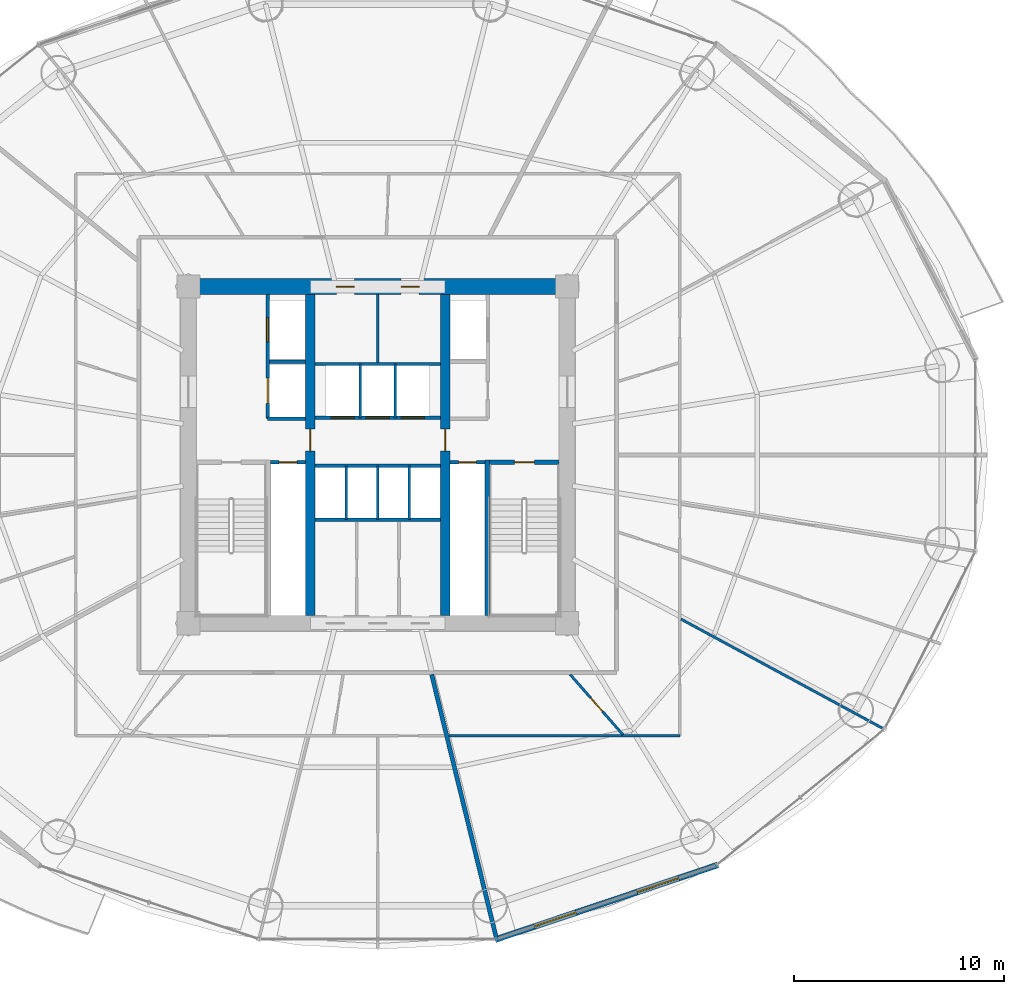
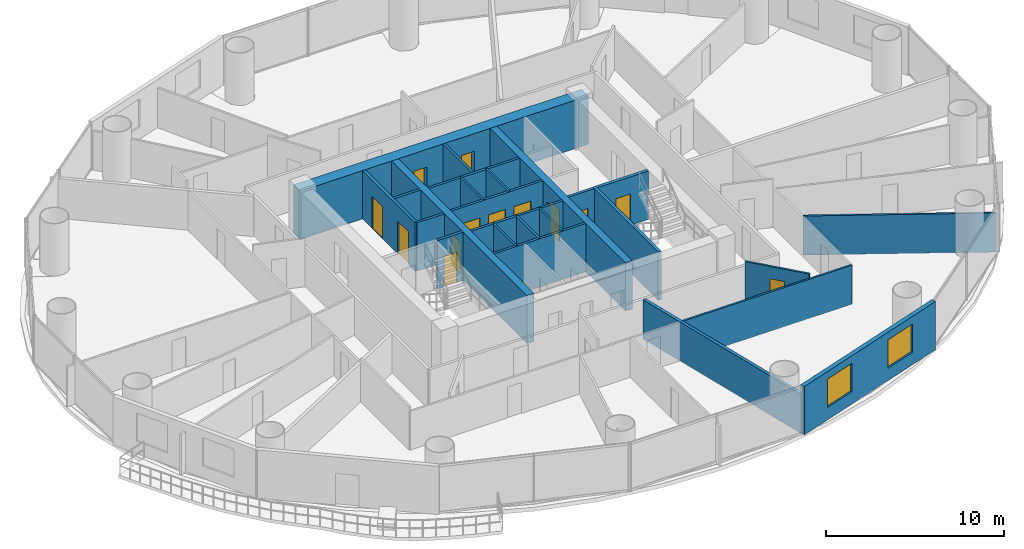
# One storey, part 23 of 29: 25 walls, 13 doors, 2 windows, 15 openings.
"""IFC4 building model written with IfcOpenShell, lengths in metres."""

from ifc_helpers import new_model, si_unit, direction, frame, frame_2d, origin, place, context, subcontext, project, spatial, rectangle, extrude, source, transform, mapped, material, layer, layer_set, type_object, element, fill, save


model = new_model("IFC4")

# Units and contexts
model_context = context("Model", 3, precision=1e-05, world=origin(), true_north=direction((-0.2419218956, 0.970295726276)))
body_context = subcontext(model_context, "Body", "Model", "MODEL_VIEW")
ifc_project = project(units=[si_unit("LENGTHUNIT", "METRE"), si_unit("AREAUNIT", "SQUARE_METRE"), si_unit("VOLUMEUNIT", "CUBIC_METRE"), si_unit("PLANEANGLEUNIT", "RADIAN"), si_unit("MASSUNIT", "GRAM", prefix="KILO")], contexts=[model_context])

# Site, building, storey
site_placement = place(None, origin())
site = spatial("IfcSite", under=ifc_project, at=site_placement, CompositionType="ELEMENT")
building_placement = place(site_placement, origin())
building = spatial("IfcBuilding", under=site, at=building_placement, Name="Cobrevalo Terracotta Tower", CompositionType="ELEMENT")
storey_placement = place(building_placement, frame((0.0, 0.0, 67.199951171875)))
storey = spatial("IfcBuildingStorey", under=building, at=storey_placement, Name="L17", CompositionType="ELEMENT", Elevation=67.199951171875)

# Wall, openings, doors
ifc_material_1 = material(Name="Concrete C60", Category="concrete")
ifc_layer_1 = layer(ifc_material_1, 0.75)
ifc_layer_set_1 = layer_set([ifc_layer_1], Name="Concrete C60")
wall_type_1 = type_object("IfcWallType", Name="Core shear wall 750 mm Concrete C60", PredefinedType="SHEAR", material=ifc_layer_set_1)
wall_1_placement = place(storey_placement, frame((28.625, 34.800048828125, 0.0), z_axis=(0.0, 0.0, 1.0), x_axis=(1.0, 0.0, 0.0)))
wall_1 = element("IfcWall", 1, at=wall_1_placement, inside=storey, type_object=wall_type_1, Name="L17 north core shear wall", PredefinedType="SHEAR", context=body_context, shape_type="SweptSolid", body=[
    extrude(rectangle(XDim=18.75, YDim=0.75, at=frame_2d((9.375, 0.0))), origin(), (0.0, 0.0, 1.0), 3.320068359375),
])
opening_1_placement = place(wall_1_placement, frame((7.407470703125, 0.0, 0.0)))
opening_1 = element("IfcOpeningElement", 2, at=opening_1_placement, cuts=wall_1, Name="Opening ID-07", PredefinedType="OPENING", context=body_context, shape_type="SweptSolid", body=[
    extrude(rectangle(XDim=0.860107421875, YDim=2.10009765625, at=frame_2d((0.43017578125, 1.050048828125))), frame((0.0, 0.385009765625, 0.0), z_axis=(0.0, -1.0, 0.0), x_axis=(1.0, 0.0, 0.0)), (0.0, 0.0, 1.0), 0.77001953125),
])
opening_2_placement = place(wall_1_placement, frame((10.487548828125, 0.0, 0.0)))
opening_2 = element("IfcOpeningElement", 3, at=opening_2_placement, cuts=wall_1, Name="Opening ID-22", PredefinedType="OPENING", context=body_context, shape_type="SweptSolid", body=[
    extrude(rectangle(XDim=0.85009765625, YDim=2.10009765625, at=frame_2d((0.425048828125, 1.050048828125))), frame((0.0, 0.385009765625, 0.0), z_axis=(0.0, -1.0, 0.0), x_axis=(1.0, 0.0, 0.0)), (0.0, 0.0, 1.0), 0.77001953125),
])
ifc_material_2 = material(Name="Powder-coated steel", Category="steel")
door_type_1 = type_object("IfcDoorType", Name="Riser shaft & meter closet fire access door 850x2100 EI 60", OperationType="NOTDEFINED", PredefinedType="DOOR", material=ifc_material_2)
shared_shape_1 = source(origin(), body_context, "Body", "SweptSolid", [
    extrude(rectangle(XDim=0.85009765625, YDim=2.10009765625, at=frame_2d((0.425048828125, 1.050048828125))), frame((0.0, 0.02490234375, 0.0), z_axis=(0.0, -1.0, 0.0), x_axis=(1.0, 0.0, 0.0)), (0.0, 0.0, 1.0), 0.050048828125),
])
door_1_placement = place(opening_2_placement, frame((0.85009765625, 0.0, 0.0), z_axis=(0.0, 0.0, 1.0), x_axis=(-1.0, 0.0, 0.0)))
door_1 = element("IfcDoor", 4, at=door_1_placement, inside=storey, type_object=door_type_1, Name="L17 core north service door Floor Telecom and Metering Plant", OperationType="SINGLE_SWING_RIGHT", OverallHeight=2.10009765625, OverallWidth=0.85009765625, PredefinedType="DOOR", context=body_context, shape_type="MappedRepresentation", body=[
    mapped(shared_shape_1, transform((0.0, 0.0, 0.0), scale=1.0)),
])
fill(opening_2, door_1)
ifc_material_3 = material(Name="Fire-rated moisture-sealed timber", Category="wood")
door_type_2 = type_object("IfcDoorType", Name="Core & podium fire-rated accessible WC door 860x2100 EI 60", OperationType="NOTDEFINED", PredefinedType="DOOR", material=ifc_material_3)
shared_shape_2 = source(origin(), body_context, "Body", "SweptSolid", [
    extrude(rectangle(XDim=0.860107421875, YDim=2.10009765625, at=frame_2d((0.43017578125, 1.050048828125))), frame((0.0, 0.02490234375, 0.0), z_axis=(0.0, -1.0, 0.0), x_axis=(1.0, 0.0, 0.0)), (0.0, 0.0, 1.0), 0.050048828125),
])
door_2_placement = place(opening_1_placement, frame((0.860107421875, 0.0, 0.0), z_axis=(0.0, 0.0, 1.0), x_axis=(-1.0, 0.0, 0.0)))
door_2 = element("IfcDoor", 5, at=door_2_placement, inside=storey, type_object=door_type_2, Name="L17 core north service door Core Accessible Toilet WC", OperationType="SINGLE_SWING_LEFT", OverallHeight=2.10009765625, OverallWidth=0.860107421875, PredefinedType="DOOR", context=body_context, shape_type="MappedRepresentation", body=[
    mapped(shared_shape_2, transform((0.0, 0.0, 0.0), scale=1.0)),
])
fill(opening_1, door_2)

# Walls
ifc_material_4 = material(Name="Gypsum board on steel stud", Category="steel")
ifc_layer_2 = layer(ifc_material_4, 0.159912109375)
ifc_layer_set_2 = layer_set([ifc_layer_2], Name="Gypsum board on steel stud")
wall_type_2 = type_object("IfcWallType", Name="Fire-rated corridor acoustic partition wall 160 mm", PredefinedType="PARTITIONING", material=ifc_layer_set_2)
wall_2_placement = place(storey_placement, frame((32.860107421875, 31.219970703125, 0.0), z_axis=(0.0, 0.0, 1.0), x_axis=(1.0, 0.0, 0.0)))
element("IfcWall", 6, at=wall_2_placement, inside=storey, type_object=wall_type_2, Name="L17 interior partition IW-L17-FF1-M", PredefinedType="PARTITIONING", context=body_context, shape_type="SweptSolid", body=[
    extrude(rectangle(XDim=1.71484375, YDim=0.159912109375, at=frame_2d((0.857421875, 0.0))), origin(), (0.0, 0.0, 1.0), 3.320068359375),
])
wall_3_placement = place(storey_placement, frame((32.77001953125, 28.52001953125, 0.0), z_axis=(0.0, 0.0, 1.0), x_axis=(1.0, 0.0, 0.0)))
element("IfcWall", 7, at=wall_3_placement, inside=storey, type_object=wall_type_2, Name="L17 interior partition IW-L17-FF1-S", PredefinedType="PARTITIONING", context=body_context, shape_type="SweptSolid", body=[
    extrude(rectangle(XDim=1.804931640625, YDim=0.159912109375, at=frame_2d((0.90234375, 0.0))), origin(), (0.0, 0.0, 1.0), 3.320068359375),
])

# Wall, openings, doors
wall_4_placement = place(storey_placement, frame((35.02490234375, 28.56005859375, 0.0), z_axis=(0.0, 0.0, 1.0), x_axis=(1.0, 0.0, 0.0)))
wall_4 = element("IfcWall", 8, at=wall_4_placement, inside=storey, type_object=wall_type_2, Name="L17 interior partition IW-L17-LB-S", PredefinedType="PARTITIONING", context=body_context, shape_type="SweptSolid", body=[
    extrude(rectangle(XDim=5.9501953125, YDim=0.159912109375, at=frame_2d((2.97509765625, 0.0))), origin(), (0.0, 0.0, 1.0), 3.320068359375),
])
opening_3_placement = place(wall_4_placement, frame((0.760009765625, 0.0, 0.0)))
opening_3 = element("IfcOpeningElement", 9, at=opening_3_placement, cuts=wall_4, Name="Opening LD-01", PredefinedType="OPENING", context=body_context, shape_type="SweptSolid", body=[
    extrude(rectangle(XDim=1.10009765625, YDim=2.199951171875, at=frame_2d((0.550048828125, 1.10009765625))), frame((0.0, 0.08984375, 0.0), z_axis=(0.0, -1.0, 0.0), x_axis=(1.0, 0.0, 0.0)), (0.0, 0.0, 1.0), 0.179931640625),
])
opening_4_placement = place(wall_4_placement, frame((2.425048828125, 0.0, 0.0)))
opening_4 = element("IfcOpeningElement", 10, at=opening_4_placement, cuts=wall_4, Name="Opening LD-01", PredefinedType="OPENING", context=body_context, shape_type="SweptSolid", body=[
    extrude(rectangle(XDim=1.10009765625, YDim=2.199951171875, at=frame_2d((0.550048828125, 1.10009765625))), frame((0.0, 0.08984375, 0.0), z_axis=(0.0, -1.0, 0.0), x_axis=(1.0, 0.0, 0.0)), (0.0, 0.0, 1.0), 0.179931640625),
])
opening_5_placement = place(wall_4_placement, frame((4.090087890625, 0.0, 0.0)))
opening_5 = element("IfcOpeningElement", 11, at=opening_5_placement, cuts=wall_4, Name="Opening LD-01", PredefinedType="OPENING", context=body_context, shape_type="SweptSolid", body=[
    extrude(rectangle(XDim=1.10009765625, YDim=2.199951171875, at=frame_2d((0.550048828125, 1.10009765625))), frame((0.0, 0.08984375, 0.0), z_axis=(0.0, -1.0, 0.0), x_axis=(1.0, 0.0, 0.0)), (0.0, 0.0, 1.0), 0.179931640625),
])
ifc_material_5 = material(Name="Brushed stainless steel", Category="steel")
door_type_3 = type_object("IfcDoorType", Name="Passenger lift landing bi-parting sliding door 1100x2200 EI 90", OperationType="DOUBLE_DOOR_SLIDING", PredefinedType="DOOR", material=ifc_material_5)
shared_shape_3 = source(origin(), body_context, "Body", "SweptSolid", [
    extrude(rectangle(XDim=1.10009765625, YDim=2.199951171875, at=frame_2d((0.550048828125, 1.10009765625))), frame((0.0, 0.02490234375, 0.0), z_axis=(0.0, -1.0, 0.0), x_axis=(1.0, 0.0, 0.0)), (0.0, 0.0, 1.0), 0.050048828125),
])
door_3_placement = place(opening_3_placement, origin())
door_3 = element("IfcDoor", 12, at=door_3_placement, inside=storey, type_object=door_type_3, Name="L17 lift landing door PL-L1", OperationType="DOUBLE_DOOR_SLIDING", OverallHeight=2.199951171875, OverallWidth=1.10009765625, PredefinedType="DOOR", context=body_context, shape_type="MappedRepresentation", body=[
    mapped(shared_shape_3, transform((0.0, 0.0, 0.0), scale=1.0)),
])
fill(opening_3, door_3)
door_4_placement = place(opening_4_placement, origin())
door_4 = element("IfcDoor", 13, at=door_4_placement, inside=storey, type_object=door_type_3, Name="L17 lift landing door PL-L2", OperationType="DOUBLE_DOOR_SLIDING", OverallHeight=2.199951171875, OverallWidth=1.10009765625, PredefinedType="DOOR", context=body_context, shape_type="MappedRepresentation", body=[
    mapped(shared_shape_3, transform((0.0, 0.0, 0.0), scale=1.0)),
])
fill(opening_4, door_4)
door_5_placement = place(opening_5_placement, origin())
door_5 = element("IfcDoor", 14, at=door_5_placement, inside=storey, type_object=door_type_3, Name="L17 lift landing door PL-L3", OperationType="DOUBLE_DOOR_SLIDING", OverallHeight=2.199951171875, OverallWidth=1.10009765625, PredefinedType="DOOR", context=body_context, shape_type="MappedRepresentation", body=[
    mapped(shared_shape_3, transform((0.0, 0.0, 0.0), scale=1.0)),
])
fill(opening_5, door_5)

# Walls
for number, where, z_axis, x_axis, name in (
    (15, (35.02490234375, 31.1201171875, 0.0), (0.0, 0.0, 1.0), (1.0, 0.0, 0.0), "L17 interior partition IW-L17-LB-N"),
    (16, (35.02490234375, 26.280029296875, 0.0), (0.0, 0.0, 1.0), (1.0, 0.0, 0.0), "L17 interior partition IW-L17-MB-N"),
    (17, (35.02490234375, 23.719970703125, 0.0), (0.0, 0.0, 1.0), (1.0, 0.0, 0.0), "L17 interior partition IW-L17-MB-S"),
):
    element("IfcWall", number, at=place(storey_placement, frame(where, z_axis=z_axis, x_axis=x_axis)), inside=storey, type_object=wall_type_2, Name=name, PredefinedType="PARTITIONING", context=body_context, shape_type="SweptSolid", body=[
        extrude(rectangle(XDim=5.9501953125, YDim=0.159912109375, at=frame_2d((2.97509765625, 0.0))), origin(), (0.0, 0.0, 1.0), 3.320068359375),
    ])

# Wall, opening, door
ifc_layer_3 = layer(ifc_material_4, 0.179931640625)
ifc_layer_set_3 = layer_set([ifc_layer_3], Name="Gypsum board on steel stud")
wall_type_3 = type_object("IfcWallType", Name="Fire-rated shaft & lobby acoustic partition wall 180 mm", PredefinedType="PARTITIONING", material=ifc_layer_set_3)
wall_5_placement = place(storey_placement, frame((32.89990234375, 26.449951171875, 0.0), z_axis=(0.0, 0.0, 1.0), x_axis=(1.0, 0.0, 0.0)))
wall_5 = element("IfcWall", 18, at=wall_5_placement, inside=storey, type_object=wall_type_3, Name="L17 interior partition IW-L17-RSW-N", PredefinedType="PARTITIONING", context=body_context, shape_type="SweptSolid", body=[
    extrude(rectangle(XDim=1.675048828125, YDim=0.179931640625, at=frame_2d((0.83740234375, 0.0))), origin(), (0.0, 0.0, 1.0), 3.320068359375),
])
opening_6_placement = place(wall_5_placement, frame((0.41259765625, 0.0, 0.0)))
opening_6 = element("IfcOpeningElement", 19, at=opening_6_placement, cuts=wall_5, Name="Opening ID-22", PredefinedType="OPENING", context=body_context, shape_type="SweptSolid", body=[
    extrude(rectangle(XDim=0.85009765625, YDim=2.10009765625, at=frame_2d((0.425048828125, 1.050048828125))), frame((0.0, 0.10009765625, 0.0), z_axis=(0.0, -1.0, 0.0), x_axis=(1.0, 0.0, 0.0)), (0.0, 0.0, 1.0), 0.199951171875),
])
door_6_placement = place(opening_6_placement, origin())
door_6 = element("IfcDoor", 20, at=door_6_placement, inside=storey, type_object=door_type_1, Name="L17 riser access door RSW", OperationType="SINGLE_SWING_LEFT", OverallHeight=2.10009765625, OverallWidth=0.85009765625, PredefinedType="DOOR", context=body_context, shape_type="MappedRepresentation", body=[
    mapped(shared_shape_1, transform((0.0, 0.0, 0.0), scale=1.0)),
])
fill(opening_6, door_6)

wall_6_placement = place(storey_placement, frame((41.425048828125, 26.449951171875, 0.0), z_axis=(0.0, 0.0, 1.0), x_axis=(1.0, 0.0, 0.0)))
wall_6 = element("IfcWall", 21, at=wall_6_placement, inside=storey, type_object=wall_type_3, Name="L17 interior partition IW-L17-RSE-N", PredefinedType="PARTITIONING", context=body_context, shape_type="SweptSolid", body=[
    extrude(rectangle(XDim=1.675048828125, YDim=0.179931640625, at=frame_2d((0.83740234375, 0.0))), origin(), (0.0, 0.0, 1.0), 3.320068359375),
])
opening_7_placement = place(wall_6_placement, frame((0.41259765625, 0.0, 0.0)))
opening_7 = element("IfcOpeningElement", 22, at=opening_7_placement, cuts=wall_6, Name="Opening ID-22", PredefinedType="OPENING", context=body_context, shape_type="SweptSolid", body=[
    extrude(rectangle(XDim=0.85009765625, YDim=2.10009765625, at=frame_2d((0.425048828125, 1.050048828125))), frame((0.0, 0.10009765625, 0.0), z_axis=(0.0, -1.0, 0.0), x_axis=(1.0, 0.0, 0.0)), (0.0, 0.0, 1.0), 0.199951171875),
])
door_7_placement = place(opening_7_placement, origin())
door_7 = element("IfcDoor", 23, at=door_7_placement, inside=storey, type_object=door_type_1, Name="L17 riser access door RSE", OperationType="SINGLE_SWING_RIGHT", OverallHeight=2.10009765625, OverallWidth=0.85009765625, PredefinedType="DOOR", context=body_context, shape_type="MappedRepresentation", body=[
    mapped(shared_shape_1, transform((0.0, 0.0, 0.0), scale=1.0)),
])
fill(opening_7, door_7)

# Wall, openings, doors
wall_7_placement = place(storey_placement, frame((32.77001953125, 28.52001953125, 0.0), z_axis=(0.0, 0.0, 1.0), x_axis=(0.0, 1.0, 0.0)))
wall_7 = element("IfcWall", 24, at=wall_7_placement, inside=storey, type_object=wall_type_3, Name="L17 interior partition IW-L17-FF1-W", PredefinedType="PARTITIONING", context=body_context, shape_type="SweptSolid", body=[
    extrude(rectangle(XDim=5.905029296875, YDim=0.179931640625, at=frame_2d((2.95263671875, 0.0))), origin(), (0.0, 0.0, 1.0), 3.320068359375),
])
opening_8_placement = place(wall_7_placement, frame((3.655029296875, 0.0, 0.0)))
opening_8 = element("IfcOpeningElement", 25, at=opening_8_placement, cuts=wall_7, Name="Opening LD-02", PredefinedType="OPENING", context=body_context, shape_type="SweptSolid", body=[
    extrude(rectangle(XDim=1.14990234375, YDim=2.199951171875, at=frame_2d((0.574951171875, 1.10009765625))), frame((0.0, 0.10009765625, 0.0), z_axis=(0.0, -1.0, 0.0), x_axis=(1.0, 0.0, 0.0)), (0.0, 0.0, 1.0), 0.199951171875),
])
opening_9_placement = place(wall_7_placement, frame((0.72998046875, 0.0, 0.0)))
opening_9 = element("IfcOpeningElement", 26, at=opening_9_placement, cuts=wall_7, Name="Opening LD-03", PredefinedType="OPENING", context=body_context, shape_type="SweptSolid", body=[
    extrude(rectangle(XDim=1.199951171875, YDim=2.25, at=frame_2d((0.60009765625, 1.125))), frame((0.0, 0.10009765625, 0.0), z_axis=(0.0, -1.0, 0.0), x_axis=(1.0, 0.0, 0.0)), (0.0, 0.0, 1.0), 0.199951171875),
])
door_type_4 = type_object("IfcDoorType", Name="Firefighting lift landing bi-parting sliding door 1150x2200 EI 120", OperationType="DOUBLE_DOOR_SLIDING", PredefinedType="DOOR", material=ifc_material_5)
shared_shape_4 = source(origin(), body_context, "Body", "SweptSolid", [
    extrude(rectangle(XDim=1.14990234375, YDim=2.199951171875, at=frame_2d((0.574951171875, 1.10009765625))), frame((0.0, 0.02490234375, 0.0), z_axis=(0.0, -1.0, 0.0), x_axis=(1.0, 0.0, 0.0)), (0.0, 0.0, 1.0), 0.050048828125),
])
door_8_placement = place(opening_8_placement, origin())
door_8 = element("IfcDoor", 27, at=door_8_placement, inside=storey, type_object=door_type_4, Name="L17 lift landing door FF-1", OperationType="DOUBLE_DOOR_SLIDING", OverallHeight=2.199951171875, OverallWidth=1.14990234375, PredefinedType="DOOR", context=body_context, shape_type="MappedRepresentation", body=[
    mapped(shared_shape_4, transform((0.0, 0.0, 0.0), scale=1.0)),
])
fill(opening_8, door_8)
door_type_5 = type_object("IfcDoorType", Name="Service lift landing bi-parting sliding door 1200x2250 EI 120", OperationType="DOUBLE_DOOR_SLIDING", PredefinedType="DOOR", material=ifc_material_5)
shared_shape_5 = source(origin(), body_context, "Body", "SweptSolid", [
    extrude(rectangle(XDim=1.199951171875, YDim=2.25, at=frame_2d((0.60009765625, 1.125))), frame((0.0, 0.02490234375, 0.0), z_axis=(0.0, -1.0, 0.0), x_axis=(1.0, 0.0, 0.0)), (0.0, 0.0, 1.0), 0.050048828125),
])
door_9_placement = place(opening_9_placement, origin())
door_9 = element("IfcDoor", 28, at=door_9_placement, inside=storey, type_object=door_type_5, Name="L17 lift landing door SV-1", OperationType="DOUBLE_DOOR_SLIDING", OverallHeight=2.25, OverallWidth=1.199951171875, PredefinedType="DOOR", context=body_context, shape_type="MappedRepresentation", body=[
    mapped(shared_shape_5, transform((0.0, 0.0, 0.0), scale=1.0)),
])
fill(opening_9, door_9)

# Walls
ifc_material_6 = material(Name="Autoclaved aerated concrete block", Category="concrete")
ifc_layer_4 = layer(ifc_material_6, 0.199951171875)
ifc_layer_set_4 = layer_set([ifc_layer_4], Name="Autoclaved aerated concrete block")
wall_type_4 = type_object("IfcWallType", Name="Fire-rated stair, shaft & demising masonry wall 200 mm", PredefinedType="PARTITIONING", material=ifc_layer_set_4)
wall_8_placement = place(storey_placement, frame((40.5615234375, 16.364990234375, 0.0), z_axis=(0.0, 0.0, 1.0), x_axis=(0.238380116209, -0.971171931326, 0.0)))
element("IfcWall", 29, at=wall_8_placement, inside=storey, type_object=wall_type_4, Name="L17 interior partition IW-L17-DEM-5", PredefinedType="PARTITIONING", context=body_context, shape_type="SweptSolid", body=[
    extrude(rectangle(XDim=12.876708984375, YDim=0.199951171875, at=frame_2d((6.4384765625, 0.0))), origin(), (0.0, 0.0, 1.0), 2.68798828125),
])
ifc_layer_5 = layer(ifc_material_6, 0.1201171875)
ifc_layer_set_5 = layer_set([ifc_layer_5], Name="Autoclaved aerated concrete block")
wall_type_5 = type_object("IfcWallType", Name="Fire-rated wet-room & core service partition 120 mm", PredefinedType="PARTITIONING", material=ifc_layer_set_5)
for number, where, z_axis, x_axis, name in (
    (30, (37.169921875, 28.56005859375, 0.0), (0.0, 0.0, 1.0), (0.0, 1.0, 0.0), "L17 interior partition IW-L17-LB-D1"),
    (31, (38.830078125, 28.56005859375, 0.0), (0.0, 0.0, 1.0), (0.0, 1.0, 0.0), "L17 interior partition IW-L17-LB-D2"),
    (32, (36.5, 23.719970703125, 0.0), (0.0, 0.0, 1.0), (0.0, 1.0, 0.0), "L17 interior partition IW-L17-MB-D1"),
    (33, (39.5, 23.719970703125, 0.0), (0.0, 0.0, 1.0), (0.0, 1.0, 0.0), "L17 interior partition IW-L17-MB-D3"),
):
    element("IfcWall", number, at=place(storey_placement, frame(where, z_axis=z_axis, x_axis=x_axis)), inside=storey, type_object=wall_type_5, Name=name, PredefinedType="PARTITIONING", context=body_context, shape_type="SweptSolid", body=[
        extrude(rectangle(XDim=2.56005859375, YDim=0.1201171875, at=frame_2d((1.280029296875, 0.0))), origin(), (0.0, 0.0, 1.0), 3.320068359375),
    ])

# Wall, openings, windows
ifc_layer_6 = layer(ifc_material_6, 0.280029296875)
ifc_layer_set_6 = layer_set([ifc_layer_6], Name="Autoclaved aerated concrete block")
wall_type_6 = type_object("IfcWallType", Name="Insulated tower spandrel & pier wall 280 mm with terracotta rainscreen", PredefinedType="SOLIDWALL", material=ifc_layer_set_6)
wall_9_placement = place(storey_placement, frame((43.575927734375, 3.755615234375, 0.0), z_axis=(0.0, 0.0, 1.0), x_axis=(0.948047847546, 0.31812777113, 0.0)))
wall_9 = element("IfcWall", 34, at=wall_9_placement, inside=storey, type_object=wall_type_6, Name="L17 terracotta rainscreen pier wall S13", PredefinedType="SOLIDWALL", context=body_context, shape_type="SweptSolid", body=[
    extrude(rectangle(XDim=11.17529296875, YDim=0.280029296875, at=frame_2d((5.587646484375, 0.0))), origin(), (0.0, 0.0, 1.0), 3.320068359375),
])
opening_10_placement = place(wall_9_placement, frame((1.96728515625, 0.0, 0.85009765625)))
opening_10 = element("IfcOpeningElement", 35, at=opening_10_placement, cuts=wall_9, Name="Opening WN-10", PredefinedType="OPENING", context=body_context, shape_type="SweptSolid", body=[
    extrude(rectangle(XDim=2.10009765625, YDim=1.949951171875, at=frame_2d((1.050048828125, 0.97509765625))), frame((0.0, 0.14990234375, 0.0), z_axis=(0.0, -1.0, 0.0), x_axis=(1.0, 0.0, 0.0)), (0.0, 0.0, 1.0), 0.300048828125),
])
opening_11_placement = place(wall_9_placement, frame((7.108154296875, 0.0, 0.85009765625)))
opening_11 = element("IfcOpeningElement", 36, at=opening_11_placement, cuts=wall_9, Name="Opening WN-10", PredefinedType="OPENING", context=body_context, shape_type="SweptSolid", body=[
    extrude(rectangle(XDim=2.10009765625, YDim=1.949951171875, at=frame_2d((1.050048828125, 0.97509765625))), frame((0.0, 0.14990234375, 0.0), z_axis=(0.0, -1.0, 0.0), x_axis=(1.0, 0.0, 0.0)), (0.0, 0.0, 1.0), 0.300048828125),
])
ifc_material_7 = material(Name="Solar-control low-E double glazing", Category="glass")
window_type = type_object("IfcWindowType", Name="Wide panoramic low-E aluminium window 2100x1950", PartitioningType="SINGLE_PANEL", PredefinedType="WINDOW", material=ifc_material_7)
shared_shape_6 = source(origin(), body_context, "Body", "SweptSolid", [
    extrude(rectangle(XDim=2.10009765625, YDim=1.949951171875, at=frame_2d((1.050048828125, 0.97509765625))), frame((0.0, 0.030029296875, 0.0), z_axis=(0.0, -1.0, 0.0), x_axis=(1.0, 0.0, 0.0)), (0.0, 0.0, 1.0), 0.06005859375),
])
window_1_placement = place(opening_10_placement, origin())
window_1 = element("IfcWindow", 37, at=window_1_placement, inside=storey, type_object=window_type, Name="L17 suite window S13A", OverallHeight=1.949951171875, OverallWidth=2.10009765625, PartitioningType="SINGLE_PANEL", PredefinedType="WINDOW", context=body_context, shape_type="MappedRepresentation", body=[
    mapped(shared_shape_6, transform((0.0, 0.0, 0.0), scale=1.0)),
])
fill(opening_10, window_1)
window_2_placement = place(opening_11_placement, origin())
window_2 = element("IfcWindow", 38, at=window_2_placement, inside=storey, type_object=window_type, Name="L17 suite window S13B", OverallHeight=1.949951171875, OverallWidth=2.10009765625, PartitioningType="SINGLE_PANEL", PredefinedType="WINDOW", context=body_context, shape_type="MappedRepresentation", body=[
    mapped(shared_shape_6, transform((0.0, 0.0, 0.0), scale=1.0)),
])
fill(opening_11, window_2)

# Wall, opening, door
ifc_material_8 = material(Name="Concrete C55", Category="concrete")
ifc_layer_7 = layer(ifc_material_8, 0.449951171875)
ifc_layer_set_7 = layer_set([ifc_layer_7], Name="Concrete C55")
wall_type_7 = type_object("IfcWallType", Name="Internal core shear web wall 450 mm Concrete C55", PredefinedType="SHEAR", material=ifc_layer_set_7)
wall_10_placement = place(storey_placement, frame((34.800048828125, 19.175048828125, 0.0), z_axis=(0.0, 0.0, 1.0), x_axis=(0.0, 1.0, 0.0)))
wall_10 = element("IfcWall", 39, at=wall_10_placement, inside=storey, type_object=wall_type_7, Name="L17 internal core shear wall WEB-W", PredefinedType="SHEAR", context=body_context, shape_type="SweptSolid", body=[
    extrude(rectangle(XDim=15.25, YDim=0.449951171875, at=frame_2d((7.625, 0.0))), origin(), (0.0, 0.0, 1.0), 3.320068359375),
])
opening_12_placement = place(wall_10_placement, frame((7.800048828125, 0.0, 0.0)))
opening_12 = element("IfcOpeningElement", 40, at=opening_12_placement, cuts=wall_10, Name="Opening ID-11", PredefinedType="OPENING", context=body_context, shape_type="SweptSolid", body=[
    extrude(rectangle(XDim=1.050048828125, YDim=2.14990234375, at=frame_2d((0.52490234375, 1.074951171875))), frame((0.0, 0.23486328125, 0.0), z_axis=(0.0, -1.0, 0.0), x_axis=(1.0, 0.0, 0.0)), (0.0, 0.0, 1.0), 0.469970703125),
])
ifc_material_9 = material(Name="Galvanized fire-rated steel", Category="steel")
door_type_6 = type_object("IfcDoorType", Name="Core concourse cross fire door 1050x2150 EI 90", OperationType="NOTDEFINED", PredefinedType="DOOR", material=ifc_material_9)
shared_shape_7 = source(origin(), body_context, "Body", "SweptSolid", [
    extrude(rectangle(XDim=1.050048828125, YDim=2.14990234375, at=frame_2d((0.52490234375, 1.074951171875))), frame((0.0, 0.02490234375, 0.0), z_axis=(0.0, -1.0, 0.0), x_axis=(1.0, 0.0, 0.0)), (0.0, 0.0, 1.0), 0.050048828125),
])
door_10_placement = place(opening_12_placement, origin())
door_10 = element("IfcDoor", 41, at=door_10_placement, inside=storey, type_object=door_type_6, Name="L17 west core concourse cross door", OperationType="SINGLE_SWING_LEFT", OverallHeight=2.14990234375, OverallWidth=1.050048828125, PredefinedType="DOOR", context=body_context, shape_type="MappedRepresentation", body=[
    mapped(shared_shape_7, transform((0.0, 0.0, 0.0), scale=1.0)),
])
fill(opening_12, door_10)

wall_11_placement = place(storey_placement, frame((41.199951171875, 19.175048828125, 0.0), z_axis=(0.0, 0.0, 1.0), x_axis=(0.0, 1.0, 0.0)))
wall_11 = element("IfcWall", 42, at=wall_11_placement, inside=storey, type_object=wall_type_7, Name="L17 internal core shear wall WEB-E", PredefinedType="SHEAR", context=body_context, shape_type="SweptSolid", body=[
    extrude(rectangle(XDim=15.25, YDim=0.449951171875, at=frame_2d((7.625, 0.0))), origin(), (0.0, 0.0, 1.0), 3.320068359375),
])
opening_13_placement = place(wall_11_placement, frame((7.800048828125, 0.0, 0.0)))
opening_13 = element("IfcOpeningElement", 43, at=opening_13_placement, cuts=wall_11, Name="Opening ID-11", PredefinedType="OPENING", context=body_context, shape_type="SweptSolid", body=[
    extrude(rectangle(XDim=1.050048828125, YDim=2.14990234375, at=frame_2d((0.52490234375, 1.074951171875))), frame((0.0, 0.23486328125, 0.0), z_axis=(0.0, -1.0, 0.0), x_axis=(1.0, 0.0, 0.0)), (0.0, 0.0, 1.0), 0.469970703125),
])
door_11_placement = place(opening_13_placement, frame((1.050048828125, 0.0, 0.0), z_axis=(0.0, 0.0, 1.0), x_axis=(-1.0, 0.0, 0.0)))
door_11 = element("IfcDoor", 44, at=door_11_placement, inside=storey, type_object=door_type_6, Name="L17 east core concourse cross door", OperationType="SINGLE_SWING_RIGHT", OverallHeight=2.14990234375, OverallWidth=1.050048828125, PredefinedType="DOOR", context=body_context, shape_type="MappedRepresentation", body=[
    mapped(shared_shape_7, transform((0.0, 0.0, 0.0), scale=1.0)),
])
fill(opening_13, door_11)

# Walls
ifc_layer_8 = layer(ifc_material_6, 0.139892578125)
ifc_layer_set_8 = layer_set([ifc_layer_8], Name="Autoclaved aerated concrete block")
wall_type_8 = type_object("IfcWallType", Name="Moisture-resistant wet-room & core service partition 140 mm", PredefinedType="PARTITIONING", material=ifc_layer_set_8)
wall_12_placement = place(storey_placement, frame((38.0, 31.199951171875, 0.0), z_axis=(0.0, 0.0, 1.0), x_axis=(0.0, 1.0, 0.0)))
element("IfcWall", 45, at=wall_12_placement, inside=storey, type_object=wall_type_8, Name="L17 interior partition IW-L17-KVN-1", PredefinedType="PARTITIONING", context=body_context, shape_type="SweptSolid", body=[
    extrude(rectangle(XDim=3.22509765625, YDim=0.139892578125, at=frame_2d((1.612548828125, 0.0))), origin(), (0.0, 0.0, 1.0), 3.320068359375),
])
wall_13_placement = place(storey_placement, frame((38.0, 23.719970703125, 0.0), z_axis=(0.0, 0.0, 1.0), x_axis=(0.0, 1.0, 0.0)))
element("IfcWall", 46, at=wall_13_placement, inside=storey, type_object=wall_type_8, Name="L17 interior partition IW-L17-MB-D2", PredefinedType="PARTITIONING", context=body_context, shape_type="SweptSolid", body=[
    extrude(rectangle(XDim=2.56005859375, YDim=0.139892578125, at=frame_2d((1.280029296875, 0.0))), origin(), (0.0, 0.0, 1.0), 3.320068359375),
])
ifc_layer_9 = layer(ifc_material_4, 0.1201171875)
ifc_layer_set_9 = layer_set([ifc_layer_9], Name="Gypsum board on steel stud")
wall_type_9 = type_object("IfcWallType", Name="Residential internal acoustic stud partition 120 mm", PredefinedType="PARTITIONING", material=ifc_layer_set_9)
wall_14_placement = place(storey_placement, frame((52.35498046875, 13.445068359375, 0.0), z_axis=(0.0, 0.0, 1.0), x_axis=(-1.0, 0.0, 0.0)))
element("IfcWall", 47, at=wall_14_placement, inside=storey, type_object=wall_type_9, Name="L17 interior partition IW-L17-U5-RING1_0", PredefinedType="PARTITIONING", context=body_context, shape_type="SweptSolid", body=[
    extrude(rectangle(XDim=10.974853515625, YDim=0.1201171875, at=frame_2d((5.4873046875, 0.0))), origin(), (0.0, 0.0, 1.0), 2.68798828125),
])
wall_15_placement = place(storey_placement, frame((52.409423828125, 18.997802734375, 0.0), z_axis=(0.0, 0.0, 1.0), x_axis=(0.879373936002, -0.476131789193, 0.0)))
element("IfcWall", 48, at=wall_15_placement, inside=storey, type_object=wall_type_9, Name="L17 interior partition IW-L17-U5-ORAD1", PredefinedType="PARTITIONING", context=body_context, shape_type="SweptSolid", body=[
    extrude(rectangle(XDim=10.91259765625, YDim=0.1201171875, at=frame_2d((5.456298828125, 0.0))), origin(), (0.0, 0.0, 1.0), 2.68798828125),
])

# Wall, opening, door
wall_16_placement = place(storey_placement, frame((47.142578125, 16.364990234375, 0.0), z_axis=(0.0, 0.0, 1.0), x_axis=(0.659015717138, -0.752129167474, 0.0)))
wall_16 = element("IfcWall", 49, at=wall_16_placement, inside=storey, type_object=wall_type_9, Name="L17 interior partition IW-L17-U5-IRAD1", PredefinedType="PARTITIONING", context=body_context, shape_type="SweptSolid", body=[
    extrude(rectangle(XDim=3.8203125, YDim=0.1201171875, at=frame_2d((1.91015625, 0.0))), origin(), (0.0, 0.0, 1.0), 2.9990234375),
])
opening_14_placement = place(wall_16_placement, frame((1.47998046875, 0.0, 0.0)))
opening_14 = element("IfcOpeningElement", 50, at=opening_14_placement, cuts=wall_16, Name="Opening ID-19", PredefinedType="OPENING", context=body_context, shape_type="SweptSolid", body=[
    extrude(rectangle(XDim=0.860107421875, YDim=2.14990234375, at=frame_2d((0.43017578125, 1.074951171875))), frame((0.0, 0.070068359375, 0.0), z_axis=(0.0, -1.0, 0.0), x_axis=(1.0, 0.0, 0.0)), (0.0, 0.0, 1.0), 0.14013671875),
])
ifc_material_10 = material(Name="Moisture-sealed timber", Category="wood")
door_type_7 = type_object("IfcDoorType", Name="Suite bathroom internal timber door 860x2150", OperationType="NOTDEFINED", PredefinedType="DOOR", material=ifc_material_10)
shared_shape_8 = source(origin(), body_context, "Body", "SweptSolid", [
    extrude(rectangle(XDim=0.860107421875, YDim=2.14990234375, at=frame_2d((0.43017578125, 1.074951171875))), frame((0.0, 0.02490234375, 0.0), z_axis=(0.0, -1.0, 0.0), x_axis=(1.0, 0.0, 0.0)), (0.0, 0.0, 1.0), 0.050048828125),
])
door_12_placement = place(opening_14_placement, frame((0.860107421875, 0.0, 0.0), z_axis=(0.0, 0.0, 1.0), x_axis=(-1.0, 0.0, 0.0)))
door_12 = element("IfcDoor", 51, at=door_12_placement, inside=storey, type_object=door_type_7, Name="Flat L17E Primary Bathroom internal door", OperationType="SINGLE_SWING_LEFT", OverallHeight=2.14990234375, OverallWidth=0.860107421875, PredefinedType="DOOR", context=body_context, shape_type="MappedRepresentation", body=[
    mapped(shared_shape_8, transform((0.0, 0.0, 0.0), scale=1.0)),
])
fill(opening_14, door_12)

# Wall
ifc_material_11 = material(Name="Concrete C50", Category="concrete")
ifc_layer_10 = layer(ifc_material_11, 0.199951171875)
ifc_layer_set_10 = layer_set([ifc_layer_10], Name="Concrete C50")
wall_type_10 = type_object("IfcWallType", Name="Structural core & podium stair-shaft RC wall 200 mm Concrete C50", PredefinedType="SOLIDWALL", material=ifc_layer_set_10)
wall_17_placement = place(storey_placement, frame((43.205078125, 19.175048828125, 0.0), z_axis=(0.0, 0.0, 1.0), x_axis=(0.0, 1.0, 0.0)))
element("IfcWall", 52, at=wall_17_placement, inside=storey, type_object=wall_type_10, Name="L17 ST-2 west structural shaft wall", PredefinedType="SOLIDWALL", context=body_context, shape_type="SweptSolid", body=[
    extrude(rectangle(XDim=7.375, YDim=0.199951171875, at=frame_2d((3.6875, 0.0))), origin(), (0.0, 0.0, 1.0), 3.320068359375),
])

# Wall, opening, door
wall_18_placement = place(storey_placement, frame((43.304931640625, 26.449951171875, 0.0), z_axis=(0.0, 0.0, 1.0), x_axis=(1.0, 0.0, 0.0)))
wall_18 = element("IfcWall", 53, at=wall_18_placement, inside=storey, type_object=wall_type_10, Name="L17 ST-2 north structural shaft wall", PredefinedType="SOLIDWALL", context=body_context, shape_type="SweptSolid", body=[
    extrude(rectangle(XDim=3.320068359375, YDim=0.199951171875, at=frame_2d((1.66015625, 0.0))), origin(), (0.0, 0.0, 1.0), 3.320068359375),
])
opening_15_placement = place(wall_18_placement, frame((1.18505859375, 0.0, 0.0)))
opening_15 = element("IfcOpeningElement", 54, at=opening_15_placement, cuts=wall_18, Name="Opening ID-04", PredefinedType="OPENING", context=body_context, shape_type="SweptSolid", body=[
    extrude(rectangle(XDim=0.949951171875, YDim=2.14990234375, at=frame_2d((0.47509765625, 1.074951171875))), frame((0.0, 0.10986328125, 0.0), z_axis=(0.0, -1.0, 0.0), x_axis=(1.0, 0.0, 0.0)), (0.0, 0.0, 1.0), 0.219970703125),
])
door_type_8 = type_object("IfcDoorType", Name="Stair & firefighting lobby fire door 950x2150 EI 90", OperationType="NOTDEFINED", PredefinedType="DOOR", material=ifc_material_9)
shared_shape_9 = source(origin(), body_context, "Body", "SweptSolid", [
    extrude(rectangle(XDim=0.949951171875, YDim=2.14990234375, at=frame_2d((0.47509765625, 1.074951171875))), frame((0.0, 0.02490234375, 0.0), z_axis=(0.0, -1.0, 0.0), x_axis=(1.0, 0.0, 0.0)), (0.0, 0.0, 1.0), 0.050048828125),
])
door_13_placement = place(opening_15_placement, frame((0.949951171875, 0.0, 0.0), z_axis=(0.0, 0.0, 1.0), x_axis=(-1.0, 0.0, 0.0)))
door_13 = element("IfcDoor", 55, at=door_13_placement, inside=storey, type_object=door_type_8, Name="L17 protected stair ST2 fire door", OperationType="SINGLE_SWING_RIGHT", OverallHeight=2.14990234375, OverallWidth=0.949951171875, PredefinedType="DOOR", context=body_context, shape_type="MappedRepresentation", body=[
    mapped(shared_shape_9, transform((0.0, 0.0, 0.0), scale=1.0)),
])
fill(opening_15, door_13)

save(model, "model.ifc")
